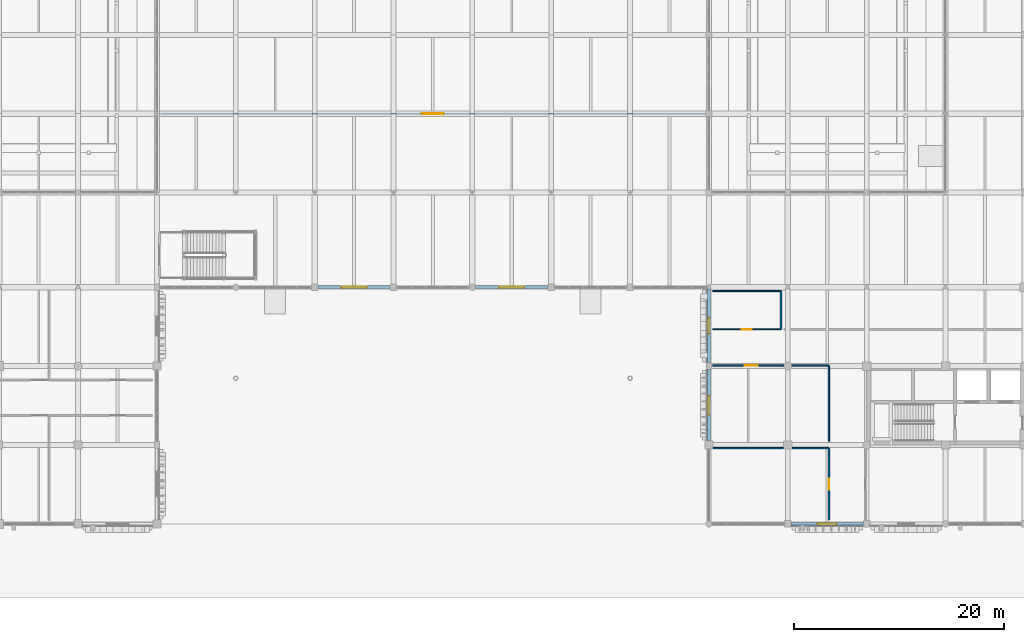
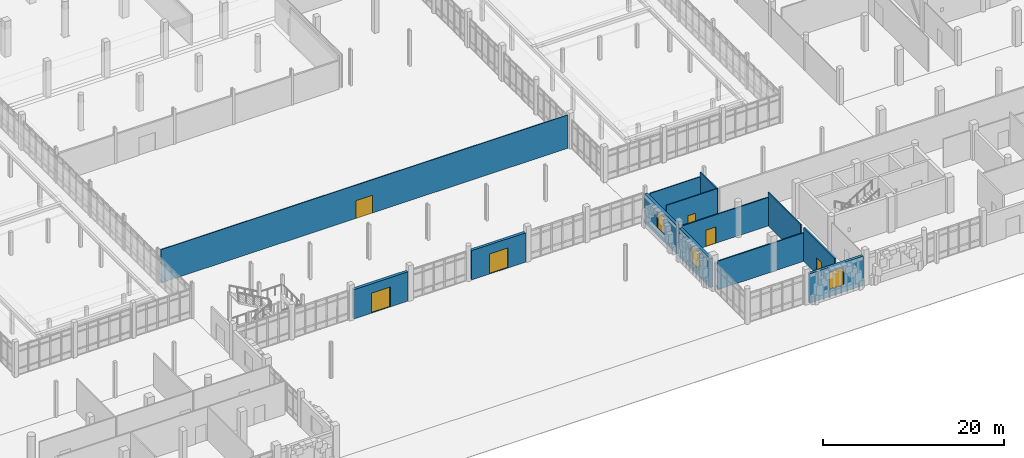
# One storey, part 93 of 125: 13 walls, 6 doors, 3 windows, 9 openings.
"""IFC4 building model written with IfcOpenShell, lengths in metres."""

from ifc_helpers import new_model, si_unit, direction, frame, frame_2d, origin, place, context, subcontext, project, spatial, rectangle, extrude, material, layer, layer_set, type_object, element, fill, save


model = new_model("IFC4")

# Units and contexts
model_context = context("Model", 3, precision=1e-05, world=origin(), true_north=direction((0.0, 1.0)))
body_context = subcontext(model_context, "Body", "Model", "MODEL_VIEW")
ifc_project = project(units=[si_unit("LENGTHUNIT", "METRE"), si_unit("AREAUNIT", "SQUARE_METRE"), si_unit("VOLUMEUNIT", "CUBIC_METRE"), si_unit("PLANEANGLEUNIT", "RADIAN"), si_unit("MASSUNIT", "GRAM", prefix="KILO")], contexts=[model_context])

# Site, building, storey
site_placement = place(None, origin())
site = spatial("IfcSite", under=ifc_project, at=site_placement, CompositionType="ELEMENT")
building_placement = place(site_placement, origin())
building = spatial("IfcBuilding", under=site, at=building_placement, Name="Dalvernix Boulevard General Hospital", CompositionType="ELEMENT")
storey_placement = place(building_placement, origin())
storey = spatial("IfcBuildingStorey", under=building, at=storey_placement, Name="L00", CompositionType="ELEMENT", Elevation=0.0)

# Wall, opening, door
ifc_material_1 = material(Name="Pressed Catalan clay brick and insulated concrete cavity wall C35/45", Category="masonry")
ifc_layer_1 = layer(ifc_material_1, 0.35009765625)
ifc_layer_set_1 = layer_set([ifc_layer_1], Name="Pressed Catalan clay brick and insulated concrete cavity wall C35/45 (WAL-EW-01)")
wall_type_1 = type_object("IfcWallType", Name="WAL-EW-01", PredefinedType="STANDARD", material=ifc_layer_set_1)
wall_1_placement = place(storey_placement, frame((82.18994140625, 22.5, 0.0), z_axis=(0.0, 0.0, 1.0), x_axis=(-1.0, 0.0, 0.0)))
wall_1 = element("IfcWall", 1, at=wall_1_placement, inside=storey, type_object=wall_type_1, Name="L00 Catalan brick external wall S 10-3", PredefinedType="STANDARD", context=body_context, shape_type="SweptSolid", body=[
    extrude(rectangle(XDim=6.8798828125, YDim=0.35009765625, at=frame_2d((3.43994140625, 0.0))), origin(), (0.0, 0.0, 1.0), 3.949951171875),
])
opening_1_placement = place(wall_1_placement, frame((2.239990234375, 0.0, 0.0)))
opening_1 = element("IfcOpeningElement", 2, at=opening_1_placement, cuts=wall_1, Name="Opening ED-24", PredefinedType="OPENING", context=body_context, shape_type="SweptSolid", body=[
    extrude(rectangle(XDim=2.39990234375, YDim=2.699951171875, at=frame_2d((1.199951171875, 1.35009765625))), frame((0.0, 0.18505859375, 0.0), z_axis=(0.0, -1.0, 0.0), x_axis=(1.0, 0.0, 0.0)), (0.0, 0.0, 1.0), 0.3701171875),
])
ifc_material_2 = material(Name="Powder-coated aluminium and laminated safety glass", Category="aluminium")
door_type_1 = type_object("IfcDoorType", Name="DR-ED-24", OperationType="DOUBLE_DOOR_SINGLE_SWING", PredefinedType="DOOR", material=ifc_material_2)
door_1_placement = place(opening_1_placement, origin())
door_1 = element("IfcDoor", 3, at=door_1_placement, inside=storey, type_object=door_type_1, Name="Main Entrance Exit Door ED-L00-07", OperationType="DOUBLE_DOOR_SINGLE_SWING", OverallHeight=2.699951171875, OverallWidth=2.39990234375, PredefinedType="DOOR", context=body_context, shape_type="SweptSolid", body=[
    extrude(rectangle(XDim=2.39990234375, YDim=2.699951171875, at=frame_2d((1.199951171875, 1.35009765625))), frame((0.0, 0.02490234375, 0.0), z_axis=(0.0, -1.0, 0.0), x_axis=(1.0, 0.0, 0.0)), (0.0, 0.0, 1.0), 0.050048828125),
])
fill(opening_1, door_1)

wall_2_placement = place(storey_placement, frame((97.18994140625, 22.5, 0.0), z_axis=(0.0, 0.0, 1.0), x_axis=(-1.0, 0.0, 0.0)))
wall_2 = element("IfcWall", 4, at=wall_2_placement, inside=storey, type_object=wall_type_1, Name="L00 Catalan brick external wall S 12-3", PredefinedType="STANDARD", context=body_context, shape_type="SweptSolid", body=[
    extrude(rectangle(XDim=6.8798828125, YDim=0.35009765625, at=frame_2d((3.43994140625, 0.0))), origin(), (0.0, 0.0, 1.0), 3.949951171875),
])
opening_2_placement = place(wall_2_placement, frame((2.239990234375, 0.0, 0.0)))
opening_2 = element("IfcOpeningElement", 5, at=opening_2_placement, cuts=wall_2, Name="Opening ED-24", PredefinedType="OPENING", context=body_context, shape_type="SweptSolid", body=[
    extrude(rectangle(XDim=2.39990234375, YDim=2.699951171875, at=frame_2d((1.199951171875, 1.35009765625))), frame((0.0, 0.18505859375, 0.0), z_axis=(0.0, -1.0, 0.0), x_axis=(1.0, 0.0, 0.0)), (0.0, 0.0, 1.0), 0.3701171875),
])
door_2_placement = place(opening_2_placement, origin())
door_2 = element("IfcDoor", 6, at=door_2_placement, inside=storey, type_object=door_type_1, Name="Main Entrance Exit Door ED-L00-08", OperationType="DOUBLE_DOOR_SINGLE_SWING", OverallHeight=2.699951171875, OverallWidth=2.39990234375, PredefinedType="DOOR", context=body_context, shape_type="SweptSolid", body=[
    extrude(rectangle(XDim=2.39990234375, YDim=2.699951171875, at=frame_2d((1.199951171875, 1.35009765625))), frame((0.0, 0.02490234375, 0.0), z_axis=(0.0, -1.0, 0.0), x_axis=(1.0, 0.0, 0.0)), (0.0, 0.0, 1.0), 0.050048828125),
])
fill(opening_2, door_2)

# Wall, opening, window
wall_3_placement = place(storey_placement, frame((112.5, 7.885009765625, 0.0), z_axis=(0.0, 0.0, 1.0), x_axis=(0.0, 1.0, 0.0)))
wall_3 = element("IfcWall", 7, at=wall_3_placement, inside=storey, type_object=wall_type_1, Name="L00 Catalan brick external wall W 15-1", PredefinedType="STANDARD", context=body_context, shape_type="SweptSolid", body=[
    extrude(rectangle(XDim=6.780029296875, YDim=0.35009765625, at=frame_2d((3.39013671875, 0.0))), origin(), (0.0, 0.0, 1.0), 3.89990234375),
])
opening_3_placement = place(wall_3_placement, frame((2.489990234375, 0.0, 0.89990234375)))
opening_3 = element("IfcOpeningElement", 8, at=opening_3_placement, cuts=wall_3, Name="Opening WN-01", PredefinedType="OPENING", context=body_context, shape_type="SweptSolid", body=[
    extrude(rectangle(XDim=1.800048828125, YDim=2.39990234375, at=frame_2d((0.89990234375, 1.199951171875))), frame((0.0, 0.18505859375, 0.0), z_axis=(0.0, -1.0, 0.0), x_axis=(1.0, 0.0, 0.0)), (0.0, 0.0, 1.0), 0.3701171875),
])
ifc_material_3 = material(Name="Thermally broken aluminium frame with solar-control double glazing", Category="aluminium")
window_type_1 = type_object("IfcWindowType", Name="WIN-WN-01", PartitioningType="SINGLE_PANEL", PredefinedType="WINDOW", material=ifc_material_3)
window_1_placement = place(opening_3_placement, origin())
window_1 = element("IfcWindow", 9, at=window_1_placement, inside=storey, type_object=window_type_1, Name="L00 clinical window WN-01 W 15-1", OverallHeight=2.39990234375, OverallWidth=1.800048828125, PartitioningType="SINGLE_PANEL", PredefinedType="WINDOW", context=body_context, shape_type="SweptSolid", body=[
    extrude(rectangle(XDim=1.800048828125, YDim=2.39990234375, at=frame_2d((0.89990234375, 1.199951171875))), frame((0.0, 0.030029296875, 0.0), z_axis=(0.0, -1.0, 0.0), x_axis=(1.0, 0.0, 0.0)), (0.0, 0.0, 1.0), 0.06005859375),
])
fill(opening_3, window_1)

wall_4_placement = place(storey_placement, frame((112.5, 15.3349609375, 0.0), z_axis=(0.0, 0.0, 1.0), x_axis=(0.0, 1.0, 0.0)))
wall_4 = element("IfcWall", 10, at=wall_4_placement, inside=storey, type_object=wall_type_1, Name="L00 Catalan brick external wall W 15-2", PredefinedType="STANDARD", context=body_context, shape_type="SweptSolid", body=[
    extrude(rectangle(XDim=6.9951171875, YDim=0.35009765625, at=frame_2d((3.49755859375, 0.0))), origin(), (0.0, 0.0, 1.0), 3.89990234375),
])
opening_4_placement = place(wall_4_placement, frame((2.74755859375, 0.0, 0.89990234375)))
opening_4 = element("IfcOpeningElement", 11, at=opening_4_placement, cuts=wall_4, Name="Opening WN-02", PredefinedType="OPENING", context=body_context, shape_type="SweptSolid", body=[
    extrude(rectangle(XDim=1.5, YDim=2.39990234375, at=frame_2d((0.75, 1.199951171875))), frame((0.0, 0.18505859375, 0.0), z_axis=(0.0, -1.0, 0.0), x_axis=(1.0, 0.0, 0.0)), (0.0, 0.0, 1.0), 0.3701171875),
])
window_type_2 = type_object("IfcWindowType", Name="WIN-WN-02", PartitioningType="SINGLE_PANEL", PredefinedType="WINDOW", material=ifc_material_3)
window_2_placement = place(opening_4_placement, origin())
window_2 = element("IfcWindow", 12, at=window_2_placement, inside=storey, type_object=window_type_2, Name="L00 clinical window WN-02 W 15-2", OverallHeight=2.39990234375, OverallWidth=1.5, PartitioningType="SINGLE_PANEL", PredefinedType="WINDOW", context=body_context, shape_type="SweptSolid", body=[
    extrude(rectangle(XDim=1.5, YDim=2.39990234375, at=frame_2d((0.75, 1.199951171875))), frame((0.0, 0.030029296875, 0.0), z_axis=(0.0, -1.0, 0.0), x_axis=(1.0, 0.0, 0.0)), (0.0, 0.0, 1.0), 0.06005859375),
])
fill(opening_4, window_2)

wall_5_placement = place(storey_placement, frame((127.18994140625, 0.0, 0.0), z_axis=(0.0, 0.0, 1.0), x_axis=(-1.0, 0.0, 0.0)))
wall_5 = element("IfcWall", 13, at=wall_5_placement, inside=storey, type_object=wall_type_1, Name="L00 Catalan brick external wall S 16-0", PredefinedType="STANDARD", context=body_context, shape_type="SweptSolid", body=[
    extrude(rectangle(XDim=6.8798828125, YDim=0.35009765625, at=frame_2d((3.43994140625, 0.0))), origin(), (0.0, 0.0, 1.0), 3.949951171875),
])
opening_5_placement = place(wall_5_placement, frame((2.5400390625, 0.0, 0.89990234375)))
opening_5 = element("IfcOpeningElement", 14, at=opening_5_placement, cuts=wall_5, Name="Opening WN-01", PredefinedType="OPENING", context=body_context, shape_type="SweptSolid", body=[
    extrude(rectangle(XDim=1.800048828125, YDim=2.39990234375, at=frame_2d((0.89990234375, 1.199951171875))), frame((0.0, 0.18505859375, 0.0), z_axis=(0.0, -1.0, 0.0), x_axis=(1.0, 0.0, 0.0)), (0.0, 0.0, 1.0), 0.3701171875),
])
window_3_placement = place(opening_5_placement, origin())
window_3 = element("IfcWindow", 15, at=window_3_placement, inside=storey, type_object=window_type_1, Name="L00 clinical window WN-01 S 16-0", OverallHeight=2.39990234375, OverallWidth=1.800048828125, PartitioningType="SINGLE_PANEL", PredefinedType="WINDOW", context=body_context, shape_type="SweptSolid", body=[
    extrude(rectangle(XDim=1.800048828125, YDim=2.39990234375, at=frame_2d((0.89990234375, 1.199951171875))), frame((0.0, 0.030029296875, 0.0), z_axis=(0.0, -1.0, 0.0), x_axis=(1.0, 0.0, 0.0)), (0.0, 0.0, 1.0), 0.06005859375),
])
fill(opening_5, window_3)

# Wall, opening, door
ifc_material_4 = material(Name="Fire-compartment corridor masonry wall", Category="masonry")
ifc_layer_2 = layer(ifc_material_4, 0.199951171875)
ifc_layer_set_2 = layer_set([ifc_layer_2], Name="Fire-compartment corridor masonry wall (WAL-IW-02)")
wall_type_2 = type_object("IfcWallType", Name="WAL-IW-02", PredefinedType="STANDARD", material=ifc_layer_set_2)
wall_6_placement = place(storey_placement, frame((123.89990234375, 0.35009765625, 0.0), z_axis=(0.0, 0.0, 1.0), x_axis=(0.0, 1.0, 0.0)))
wall_6 = element("IfcWall", 16, at=wall_6_placement, inside=storey, type_object=wall_type_2, Name="L00 Outpatient Pharmacy Dispensary and Reception corridor wall", PredefinedType="STANDARD", context=body_context, shape_type="SweptSolid", body=[
    extrude(rectangle(XDim=6.849853515625, YDim=0.199951171875, at=frame_2d((3.4248046875, 0.0))), origin(), (0.0, 0.0, 1.0), 4.485107421875),
])
opening_6_placement = place(wall_6_placement, frame((2.89990234375, 0.0, 0.0)))
opening_6 = element("IfcOpeningElement", 17, at=opening_6_placement, cuts=wall_6, Name="Opening ID-07", PredefinedType="OPENING", context=body_context, shape_type="SweptSolid", body=[
    extrude(rectangle(XDim=1.050048828125, YDim=2.199951171875, at=frame_2d((0.52490234375, 1.10009765625))), frame((0.0, 0.10986328125, 0.0), z_axis=(0.0, -1.0, 0.0), x_axis=(1.0, 0.0, 0.0)), (0.0, 0.0, 1.0), 0.219970703125),
])
ifc_material_5 = material(Name="Hospital laminate acoustic timber and steel frame", Category="steel")
door_type_2 = type_object("IfcDoorType", Name="DR-ID-07", OperationType="NOTDEFINED", PredefinedType="DOOR", material=ifc_material_5)
door_3_placement = place(opening_6_placement, origin())
door_3 = element("IfcDoor", 18, at=door_3_placement, inside=storey, type_object=door_type_2, Name="L00 Outpatient Pharmacy Dispensary and Reception door", OperationType="SINGLE_SWING_RIGHT", OverallHeight=2.199951171875, OverallWidth=1.050048828125, PredefinedType="DOOR", context=body_context, shape_type="SweptSolid", body=[
    extrude(rectangle(XDim=1.050048828125, YDim=2.199951171875, at=frame_2d((0.52490234375, 1.10009765625))), frame((0.0, 0.02490234375, 0.0), z_axis=(0.0, -1.0, 0.0), x_axis=(1.0, 0.0, 0.0)), (0.0, 0.0, 1.0), 0.050048828125),
])
fill(opening_6, door_3)

ifc_material_6 = material(Name="Acoustic double-stud gypsum inpatient partition")
ifc_layer_3 = layer(ifc_material_6, 0.14990234375)
ifc_layer_set_3 = layer_set([ifc_layer_3], Name="Acoustic double-stud gypsum inpatient partition (WAL-IW-04)")
wall_type_3 = type_object("IfcWallType", Name="WAL-IW-04", PredefinedType="PARTITIONING", material=ifc_layer_set_3)
wall_7_placement = place(storey_placement, frame((123.89990234375, 15.050048828125, 0.0), z_axis=(0.0, 0.0, 1.0), x_axis=(-1.0, 0.0, 0.0)))
wall_7 = element("IfcWall", 19, at=wall_7_placement, inside=storey, type_object=wall_type_3, Name="L00 Paediatric Triage L00 corridor wall", PredefinedType="PARTITIONING", context=body_context, shape_type="SweptSolid", body=[
    extrude(rectangle(XDim=11.0498046875, YDim=0.14990234375, at=frame_2d((5.52490234375, 0.0))), origin(), (0.0, 0.0, 1.0), 3.8349609375),
])
opening_7_placement = place(wall_7_placement, frame((6.760009765625, 0.0, 0.0)))
opening_7 = element("IfcOpeningElement", 20, at=opening_7_placement, cuts=wall_7, Name="Opening ID-04", PredefinedType="OPENING", context=body_context, shape_type="SweptSolid", body=[
    extrude(rectangle(XDim=1.25, YDim=2.199951171875, at=frame_2d((0.625, 1.10009765625))), frame((0.0, 0.0849609375, 0.0), z_axis=(0.0, -1.0, 0.0), x_axis=(1.0, 0.0, 0.0)), (0.0, 0.0, 1.0), 0.169921875),
])
door_type_3 = type_object("IfcDoorType", Name="DR-ID-04", OperationType="NOTDEFINED", PredefinedType="DOOR", material=ifc_material_5)
door_4_placement = place(opening_7_placement, origin())
door_4 = element("IfcDoor", 21, at=door_4_placement, inside=storey, type_object=door_type_3, Name="L00 Paediatric Triage L00 door", OperationType="SINGLE_SWING_LEFT", OverallHeight=2.199951171875, OverallWidth=1.25, PredefinedType="DOOR", context=body_context, shape_type="SweptSolid", body=[
    extrude(rectangle(XDim=1.25, YDim=2.199951171875, at=frame_2d((0.625, 1.10009765625))), frame((0.0, 0.02490234375, 0.0), z_axis=(0.0, -1.0, 0.0), x_axis=(1.0, 0.0, 0.0)), (0.0, 0.0, 1.0), 0.050048828125),
])
fill(opening_7, door_4)

# Walls
wall_8_placement = place(storey_placement, frame((112.85009765625, 7.199951171875, 0.0), z_axis=(0.0, 0.0, 1.0), x_axis=(1.0, 0.0, 0.0)))
element("IfcWall", 22, at=wall_8_placement, inside=storey, type_object=wall_type_3, Name="L00 Outpatient Pharmacy Dispensary and Reception partition", PredefinedType="PARTITIONING", context=body_context, shape_type="SweptSolid", body=[
    extrude(rectangle(XDim=11.0498046875, YDim=0.14990234375, at=frame_2d((5.52490234375, 0.0))), origin(), (0.0, 0.0, 1.0), 3.8349609375),
])
wall_9_placement = place(storey_placement, frame((123.89990234375, 7.85009765625, 0.0), z_axis=(0.0, 0.0, 1.0), x_axis=(0.0, 1.0, 0.0)))
element("IfcWall", 23, at=wall_9_placement, inside=storey, type_object=wall_type_3, Name="L00 Paediatric Triage L00 partition", PredefinedType="PARTITIONING", context=body_context, shape_type="SweptSolid", body=[
    extrude(rectangle(XDim=7.199951171875, YDim=0.14990234375, at=frame_2d((3.60009765625, 0.0))), origin(), (0.0, 0.0, 1.0), 4.485107421875),
])
wall_10_placement = place(storey_placement, frame((119.35009765625, 18.5, 0.0), z_axis=(0.0, 0.0, 1.0), x_axis=(0.0, 1.0, 0.0)))
element("IfcWall", 24, at=wall_10_placement, inside=storey, type_object=wall_type_3, Name="L00 Accessible WC L00 South-East partition", PredefinedType="PARTITIONING", context=body_context, shape_type="SweptSolid", body=[
    extrude(rectangle(XDim=3.64990234375, YDim=0.14990234375, at=frame_2d((1.824951171875, 0.0))), origin(), (0.0, 0.0, 1.0), 4.485107421875),
])
ifc_material_7 = material(Name="Moisture-resistant en-suite bathroom partition")
ifc_layer_4 = layer(ifc_material_7, 0.1201171875)
ifc_layer_set_4 = layer_set([ifc_layer_4], Name="Moisture-resistant en-suite bathroom partition (WAL-IW-05)")
wall_type_4 = type_object("IfcWallType", Name="WAL-IW-05", PredefinedType="PARTITIONING", material=ifc_layer_set_4)
wall_11_placement = place(storey_placement, frame((112.85009765625, 22.14990234375, 0.0), z_axis=(0.0, 0.0, 1.0), x_axis=(1.0, 0.0, 0.0)))
element("IfcWall", 25, at=wall_11_placement, inside=storey, type_object=wall_type_4, Name="L00 Accessible WC L00 South-East enclosure wall N", PredefinedType="PARTITIONING", context=body_context, shape_type="SweptSolid", body=[
    extrude(rectangle(XDim=6.5, YDim=0.1201171875, at=frame_2d((3.25, 0.0))), origin(), (0.0, 0.0, 1.0), 3.885009765625),
])

# Wall, opening, door
ifc_material_8 = material(Name="Fire-resisting clinical sub-partition")
ifc_layer_5 = layer(ifc_material_8, 0.10009765625)
ifc_layer_set_5 = layer_set([ifc_layer_5], Name="Fire-resisting clinical sub-partition (WAL-IW-06)")
wall_type_5 = type_object("IfcWallType", Name="WAL-IW-06", PredefinedType="PARTITIONING", material=ifc_layer_set_5)
wall_12_placement = place(storey_placement, frame((60.35009765625, 39.0, 0.0), z_axis=(0.0, 0.0, 1.0), x_axis=(1.0, 0.0, 0.0)))
wall_12 = element("IfcWall", 26, at=wall_12_placement, inside=storey, type_object=wall_type_5, Name="L00 Therapeutic Botanical Conservatory Display Conservatory corridor wall", PredefinedType="PARTITIONING", context=body_context, shape_type="SweptSolid", body=[
    extrude(rectangle(XDim=51.7998046875, YDim=0.10009765625, at=frame_2d((25.89990234375, 0.0))), origin(), (0.0, 0.0, 1.0), 4.485107421875),
])
opening_8_placement = place(wall_12_placement, frame((24.85009765625, 0.0, 0.0)))
opening_8 = element("IfcOpeningElement", 27, at=opening_8_placement, cuts=wall_12, Name="Opening ID-13", PredefinedType="OPENING", context=body_context, shape_type="SweptSolid", body=[
    extrude(rectangle(XDim=2.10009765625, YDim=2.39990234375, at=frame_2d((1.050048828125, 1.199951171875))), frame((0.0, 0.06005859375, 0.0), z_axis=(0.0, -1.0, 0.0), x_axis=(1.0, 0.0, 0.0)), (0.0, 0.0, 1.0), 0.1201171875),
])
door_type_4 = type_object("IfcDoorType", Name="DR-ID-13", OperationType="DOUBLE_DOOR_SINGLE_SWING", PredefinedType="DOOR", material=ifc_material_5)
door_5_placement = place(opening_8_placement, origin())
door_5 = element("IfcDoor", 28, at=door_5_placement, inside=storey, type_object=door_type_4, Name="L00 Therapeutic Botanical Conservatory Display Conservatory door", OperationType="DOUBLE_DOOR_SINGLE_SWING", OverallHeight=2.39990234375, OverallWidth=2.10009765625, PredefinedType="DOOR", context=body_context, shape_type="SweptSolid", body=[
    extrude(rectangle(XDim=2.10009765625, YDim=2.39990234375, at=frame_2d((1.050048828125, 1.199951171875))), frame((0.0, 0.02490234375, 0.0), z_axis=(0.0, -1.0, 0.0), x_axis=(1.0, 0.0, 0.0)), (0.0, 0.0, 1.0), 0.050048828125),
])
fill(opening_8, door_5)

wall_13_placement = place(storey_placement, frame((112.85009765625, 18.5, 0.0), z_axis=(0.0, 0.0, 1.0), x_axis=(1.0, 0.0, 0.0)))
wall_13 = element("IfcWall", 29, at=wall_13_placement, inside=storey, type_object=wall_type_5, Name="L00 Accessible WC L00 South-East corridor wall", PredefinedType="PARTITIONING", context=body_context, shape_type="SweptSolid", body=[
    extrude(rectangle(XDim=6.5, YDim=0.10009765625, at=frame_2d((3.25, 0.0))), origin(), (0.0, 0.0, 1.0), 4.485107421875),
])
opening_9_placement = place(wall_13_placement, frame((2.77490234375, 0.0, 0.0)))
opening_9 = element("IfcOpeningElement", 30, at=opening_9_placement, cuts=wall_13, Name="Opening ID-06", PredefinedType="OPENING", context=body_context, shape_type="SweptSolid", body=[
    extrude(rectangle(XDim=0.949951171875, YDim=2.14990234375, at=frame_2d((0.47509765625, 1.074951171875))), frame((0.0, 0.06005859375, 0.0), z_axis=(0.0, -1.0, 0.0), x_axis=(1.0, 0.0, 0.0)), (0.0, 0.0, 1.0), 0.1201171875),
])
door_type_5 = type_object("IfcDoorType", Name="DR-ID-06", OperationType="NOTDEFINED", PredefinedType="DOOR", material=ifc_material_5)
door_6_placement = place(opening_9_placement, origin())
door_6 = element("IfcDoor", 31, at=door_6_placement, inside=storey, type_object=door_type_5, Name="L00 Accessible WC L00 South-East door", OperationType="SINGLE_SWING_LEFT", OverallHeight=2.14990234375, OverallWidth=0.949951171875, PredefinedType="DOOR", context=body_context, shape_type="SweptSolid", body=[
    extrude(rectangle(XDim=0.949951171875, YDim=2.14990234375, at=frame_2d((0.47509765625, 1.074951171875))), frame((0.0, 0.02490234375, 0.0), z_axis=(0.0, -1.0, 0.0), x_axis=(1.0, 0.0, 0.0)), (0.0, 0.0, 1.0), 0.050048828125),
])
fill(opening_9, door_6)

save(model, "model.ifc")
